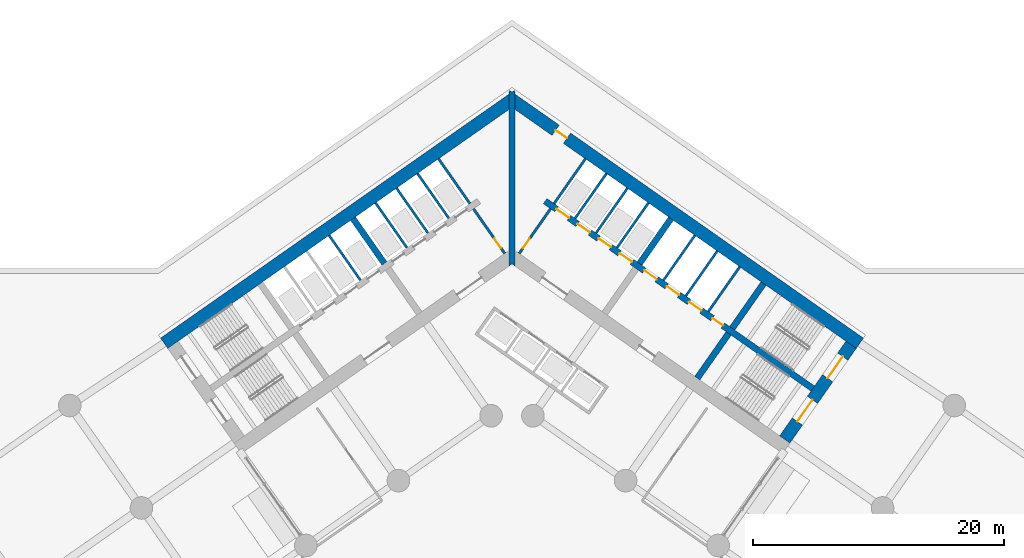
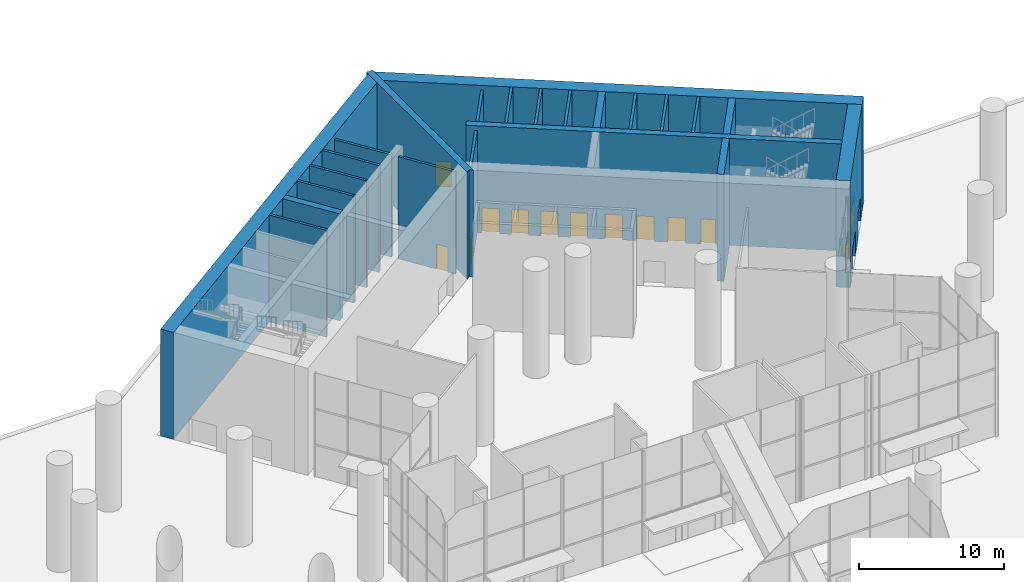
# One storey, part 20 of 37: 23 walls, 13 doors, 13 openings.
"""IFC4 building model written with IfcOpenShell, lengths in metres."""

import ifcopenshell
import ifcopenshell.guid

model = None  # the IFC model being written
_history = None  # IfcOwnerHistory: only IFC2X3 demands one
_inside = {}  # id of a spatial element -> (the spatial element, [elements in it])
_under = {}  # id of a project, library or spatial element -> (it, [spatial elements below it])
_declared = {}  # id of a project -> (the project, [libraries it declares])
_typed = {}  # id of a type object -> (the type object, [elements of that type])
_made_of = {}  # id of a material, layer set ... -> (it, [elements and type objects made of it])


def new_model(schema):
    """Start an empty IFC model of exactly this schema.

    Asked for "IFC4X3", IfcOpenShell would pick the latest addendum, in which some entities
    have other attributes; the version numbers below select the first issue.
    IFC2X3 requires an IfcOwnerHistory on every rooted entity: one is made here for all.
    """
    global model, _history
    if schema == "IFC4X3":
        model = ifcopenshell.file(schema_version=(4, 3, 0, 0))
    else:
        model = ifcopenshell.file(schema=schema)
    _inside.clear()
    _under.clear()
    _declared.clear()
    _typed.clear()
    _made_of.clear()
    _history = None
    if model.schema == "IFC2X3":
        org = make("IfcOrganization", Name="unknown")
        user = make(
            "IfcPersonAndOrganization",
            ThePerson=make("IfcPerson", FamilyName="unknown"),
            TheOrganization=org,
        )
        app = make(
            "IfcApplication",
            ApplicationDeveloper=org,
            Version="unknown",
            ApplicationFullName="unknown",
            ApplicationIdentifier="unknown",
        )
        _history = make(
            "IfcOwnerHistory",
            OwningUser=user,
            OwningApplication=app,
            ChangeAction="ADDED",
            CreationDate=0,
        )
    return model


def make(cls, **values):
    """One entity of the class cls with the attributes given. An attribute that is None is left unset."""
    return model.create_entity(
        cls, **{name: value for name, value in values.items() if value is not None}
    )


def rooted(cls, **values):
    """An entity with a GlobalId (a new one), such as an element, a storey or a relation."""
    return make(cls, GlobalId=ifcopenshell.guid.new(), OwnerHistory=_history, **values)


def si_unit(unit_type, name, prefix=None):
    """IfcSIUnit, for example si_unit("LENGTHUNIT", "METRE", prefix="MILLI")."""
    return make("IfcSIUnit", UnitType=unit_type, Prefix=prefix, Name=name)


def assignment(units):
    """IfcUnitAssignment: the units of a project."""
    return None if units is None else make("IfcUnitAssignment", Units=units)


def point(xyz):
    """IfcCartesianPoint."""
    return None if xyz is None else make("IfcCartesianPoint", Coordinates=xyz)


def direction(xyz):
    """IfcDirection."""
    return None if xyz is None else make("IfcDirection", DirectionRatios=xyz)


def frame(location, z_axis=None, x_axis=None):
    """IfcAxis2Placement3D, a coordinate frame: its origin and axes. An axis left out is left unset."""
    return make(
        "IfcAxis2Placement3D",
        Location=point(location),
        Axis=direction(z_axis),
        RefDirection=direction(x_axis),
    )


def frame_2d(location, x_axis=None):
    """IfcAxis2Placement2D, a coordinate frame in the plane: its origin and x axis."""
    return make(
        "IfcAxis2Placement2D", Location=point(location), RefDirection=direction(x_axis)
    )


def origin():
    """The frame at (0, 0, 0) with its axes left unset."""
    return frame((0.0, 0.0, 0.0))


def place(relative_to, where):
    """IfcLocalPlacement: puts the frame where relative to a parent placement (None: the world)."""
    return make(
        "IfcLocalPlacement", PlacementRelTo=relative_to, RelativePlacement=where
    )


def context(
    kind, dimensions, precision=None, world=None, true_north=None, identifier=None
):
    """IfcGeometricRepresentationContext, for example the 3D "Model" context."""
    return make(
        "IfcGeometricRepresentationContext",
        ContextIdentifier=identifier,
        ContextType=kind,
        CoordinateSpaceDimension=dimensions,
        Precision=precision,
        WorldCoordinateSystem=world,
        TrueNorth=true_north,
    )


def subcontext(parent, identifier, kind, view, scale=None):
    """IfcGeometricRepresentationSubContext, for example "Body" below "Model"."""
    return make(
        "IfcGeometricRepresentationSubContext",
        ContextIdentifier=identifier,
        ContextType=kind,
        ParentContext=parent,
        TargetScale=scale,
        TargetView=view,
    )


def project(units=None, contexts=None):
    """IfcProject with its units and contexts."""
    return rooted(
        "IfcProject",
        Name="project",
        RepresentationContexts=contexts,
        UnitsInContext=assignment(units),
    )


def spatial(cls, under=None, at=None, **own):
    """A site, building, storey or space (cls), placed at a placement, below another one or the project."""
    s = rooted(cls, ObjectPlacement=at, **own)
    if under is not None:
        _under.setdefault(under.id(), (under, []))[1].append(s)
    return s


def polyline(points):
    """IfcPolyline through the points."""
    return make("IfcPolyline", Points=[point(p) for p in points])


def profile(cls, at=None, kind="AREA", **sizes):
    """A parametric profile (cls). Its sizes go by their IFC names, for example OverallWidth=200.0."""
    return make(cls, ProfileType=kind, Position=at, **sizes)


def rectangle(**sizes):
    """IfcRectangleProfileDef."""
    return profile("IfcRectangleProfileDef", **sizes)


def outline(outer, holes=None, kind="AREA"):
    """IfcArbitraryClosedProfileDef: a profile drawn as a closed curve; with holes, ...WithVoids."""
    if holes is None:
        return make("IfcArbitraryClosedProfileDef", ProfileType=kind, OuterCurve=outer)
    return make(
        "IfcArbitraryProfileDefWithVoids",
        ProfileType=kind,
        OuterCurve=outer,
        InnerCurves=holes,
    )


def extrude(swept, where, along, depth):
    """IfcExtrudedAreaSolid: the profile swept, set in the frame where, extruded along a direction by depth."""
    return make(
        "IfcExtrudedAreaSolid",
        SweptArea=swept,
        Position=where,
        ExtrudedDirection=direction(along),
        Depth=depth,
    )


def shape(context_of_items, identifier, shape_type, items):
    """IfcShapeRepresentation: the items that make up one representation, for example the "Body"."""
    return make(
        "IfcShapeRepresentation",
        ContextOfItems=context_of_items,
        RepresentationIdentifier=identifier,
        RepresentationType=shape_type,
        Items=items,
    )


def material(Name=None, Category=None):
    """IfcMaterial."""
    return make("IfcMaterial", Name=Name, Category=Category)


def layer(
    of_material, thickness, ventilated=None, Name=None, Category=None, Priority=None
):
    """IfcMaterialLayer: one layer of a wall or slab, of a material (None: an air gap)."""
    return make(
        "IfcMaterialLayer",
        Material=of_material,
        LayerThickness=thickness,
        IsVentilated=ventilated,
        Name=Name,
        Category=Category,
        Priority=Priority,
    )


def layer_set(layers, Name=None):
    """IfcMaterialLayerSet."""
    return make("IfcMaterialLayerSet", MaterialLayers=layers, LayerSetName=Name)


def made_of(thing, what):
    """Note that an element or type object is made of a material, layer set ...; save() writes the relation."""
    if what is not None:
        _made_of.setdefault(what.id(), (what, []))[1].append(thing)
    return thing


def type_object(cls, material=None, **own):
    """A type object (cls), such as IfcWallType, which elements share."""
    return made_of(rooted(cls, **own), material)


def element(
    cls,
    number,
    at=None,
    inside=None,
    cuts=None,
    type_object=None,
    material=None,
    context=None,
    identifier="Body",
    shape_type=None,
    held_by="IfcProductDefinitionShape",
    body=None,
    shapes=None,
    **own,
):
    """One element of the class cls, such as IfcWall. Its Tag is "e" and its number.

    at: its placement. inside: the storey or other place that contains it. cuts: it is an
    opening in that element (IfcRelVoidsElement). A single representation is given by context,
    identifier, shape_type and body (its items); several are given by shapes. held_by: the class
    of the entity that holds the representations. save() writes the other relations.
    """
    e = rooted(cls, Tag="e%d" % number, ObjectPlacement=at, **own)
    if body is not None:
        shapes = [shape(context, identifier, shape_type, body)]
    if shapes is not None:
        e.Representation = make(held_by, Representations=shapes)
    if inside is not None:
        _inside.setdefault(inside.id(), (inside, []))[1].append(e)
    if cuts is not None:
        rooted(
            "IfcRelVoidsElement", RelatingBuildingElement=cuts, RelatedOpeningElement=e
        )
    if type_object is not None:
        _typed.setdefault(type_object.id(), (type_object, []))[1].append(e)
    return made_of(e, material)


def fill(opening, filler):
    """IfcRelFillsElement: the door or window that sits in an opening."""
    return rooted(
        "IfcRelFillsElement",
        RelatingOpeningElement=opening,
        RelatedBuildingElement=filler,
    )


def aggregate(whole, parts):
    """IfcRelAggregates: a whole, such as a stair, and the parts it consists of."""
    return rooted("IfcRelAggregates", RelatingObject=whole, RelatedObjects=parts)


def save(model, path):
    """Write the relations noted so far, then the file.

    IfcRelAggregates (storeys below a building ...), IfcRelContainedInSpatialStructure (elements
    in a storey), IfcRelDefinesByType, IfcRelAssociatesMaterial and IfcRelDeclares: one each for
    every whole, place, type object, material and project.
    """
    for whole, parts in _under.values():
        aggregate(whole, parts)
    for where, things in _inside.values():
        rooted(
            "IfcRelContainedInSpatialStructure",
            RelatedElements=things,
            RelatingStructure=where,
        )
    for kind, things in _typed.values():
        rooted("IfcRelDefinesByType", RelatedObjects=things, RelatingType=kind)
    for what, things in _made_of.values():
        rooted("IfcRelAssociatesMaterial", RelatedObjects=things, RelatingMaterial=what)
    for by, libraries in _declared.values():
        rooted("IfcRelDeclares", RelatingContext=by, RelatedDefinitions=libraries)
    model.write(path)


model = new_model("IFC4")

# Units and contexts
model_context = context("Model", 3, precision=1e-05, world=origin(), true_north=direction((0.0, 1.0)))
body_context = subcontext(model_context, "Body", "Model", "MODEL_VIEW")
ifc_project = project(units=[si_unit("LENGTHUNIT", "METRE"), si_unit("AREAUNIT", "SQUARE_METRE"), si_unit("VOLUMEUNIT", "CUBIC_METRE"), si_unit("PLANEANGLEUNIT", "RADIAN"), si_unit("MASSUNIT", "GRAM", prefix="KILO")], contexts=[model_context])

# Site, building, storey
site_placement = place(None, origin())
site = spatial("IfcSite", under=ifc_project, at=site_placement, CompositionType="ELEMENT")
building_placement = place(site_placement, origin())
building = spatial("IfcBuilding", under=site, at=building_placement, Name="Tel Ilan Convention Tower", CompositionType="ELEMENT")
storey_placement = place(building_placement, origin())
storey = spatial("IfcBuildingStorey", under=building, at=storey_placement, Name="L00", CompositionType="ELEMENT", Elevation=0.0)

# Wall, opening, door
ifc_material_1 = material(Name="Concrete C30/37", Category="concrete")
ifc_layer_1 = layer(ifc_material_1, 0.199951171875)
ifc_layer_set_1 = layer_set([ifc_layer_1], Name="Core Service Room Wall 200 mm C30/37")
wall_type_1 = type_object("IfcWallType", Name="Core Service Room Wall 200 mm C30/37", PredefinedType="SOLIDWALL", material=ifc_layer_set_1)
wall_1_placement = place(storey_placement, frame((-0.573486328125, -0.401611328125, 0.0), z_axis=(0.0, 0.0, 1.0), x_axis=(-0.57356780395, 0.819158088694, 0.0)))
wall_1 = element("IfcWall", 1, at=wall_1_placement, inside=storey, type_object=wall_type_1, Name="L00 core wall apex-W", PredefinedType="SOLIDWALL", context=body_context, shape_type="SweptSolid", body=[
    extrude(rectangle(XDim=4.35009765625, YDim=0.199951171875, at=frame_2d((2.175048828125, 0.0))), origin(), (0.0, 0.0, 1.0), 8.60009765625),
])
opening_1_placement = place(wall_1_placement, frame((0.550048828125, 0.0, 0.0)))
opening_1 = element("IfcOpeningElement", 2, at=opening_1_placement, cuts=wall_1, Name="Opening CD0302", PredefinedType="OPENING", context=body_context, shape_type="SweptSolid", body=[
    extrude(rectangle(XDim=0.89990234375, YDim=2.10009765625, at=frame_2d((0.449951171875, 1.050048828125))), frame((0.0, 0.10986328125, 0.0), z_axis=(0.0, -1.0, 0.0), x_axis=(1.0, 0.0, 0.0)), (0.0, 0.0, 1.0), 0.219970703125),
])
ifc_material_2 = material(Name="Galvanised Steel Door Leaf", Category="steel")
door_type_1 = type_object("IfcDoorType", Name="Service Room Door 900 x 2100 FD60", OperationType="NOTDEFINED", PredefinedType="DOOR", material=ifc_material_2)
door_1_placement = place(opening_1_placement, origin())
door_1 = element("IfcDoor", 3, at=door_1_placement, inside=storey, type_object=door_type_1, Name="Telecom Room door", OperationType="SINGLE_SWING_RIGHT", OverallHeight=2.10009765625, OverallWidth=0.89990234375, PredefinedType="DOOR", context=body_context, shape_type="SweptSolid", body=[
    extrude(rectangle(XDim=0.89990234375, YDim=2.10009765625, at=frame_2d((0.449951171875, 1.050048828125))), frame((0.0, 0.02490234375, 0.0), z_axis=(0.0, -1.0, 0.0), x_axis=(1.0, 0.0, 0.0)), (0.0, 0.0, 1.0), 0.050048828125),
])
fill(opening_1, door_1)

# Wall
wall_2_placement = place(storey_placement, frame((-3.355224609375, 3.5712890625, 0.0), z_axis=(0.0, 0.0, 1.0), x_axis=(-0.57356780395, 0.819158088694, 0.0)))
element("IfcWall", 4, at=wall_2_placement, inside=storey, type_object=wall_type_1, Name="L00 core wall apex-W-b", PredefinedType="SOLIDWALL", context=body_context, shape_type="SweptSolid", body=[
    extrude(rectangle(XDim=4.35009765625, YDim=0.199951171875, at=frame_2d((2.175048828125, 0.0))), origin(), (0.0, 0.0, 1.0), 8.60009765625),
])

# Wall, opening, door
wall_3_placement = place(storey_placement, frame((0.573486328125, -0.401611328125, 0.0), z_axis=(0.0, 0.0, 1.0), x_axis=(0.57356780395, 0.819158088694, 0.0)))
wall_3 = element("IfcWall", 5, at=wall_3_placement, inside=storey, type_object=wall_type_1, Name="L00 core wall apex-E", PredefinedType="SOLIDWALL", context=body_context, shape_type="SweptSolid", body=[
    extrude(rectangle(XDim=4.35009765625, YDim=0.199951171875, at=frame_2d((2.175048828125, 0.0))), origin(), (0.0, 0.0, 1.0), 8.60009765625),
])
opening_2_placement = place(wall_3_placement, frame((0.550048828125, 0.0, 0.0)))
opening_2 = element("IfcOpeningElement", 6, at=opening_2_placement, cuts=wall_3, Name="Opening CD0301", PredefinedType="OPENING", context=body_context, shape_type="SweptSolid", body=[
    extrude(rectangle(XDim=0.89990234375, YDim=2.10009765625, at=frame_2d((0.449951171875, 1.050048828125))), frame((0.0, 0.10986328125, 0.0), z_axis=(0.0, -1.0, 0.0), x_axis=(1.0, 0.0, 0.0)), (0.0, 0.0, 1.0), 0.219970703125),
])
door_2_placement = place(opening_2_placement, origin())
door_2 = element("IfcDoor", 7, at=door_2_placement, inside=storey, type_object=door_type_1, Name="Fire Command Room door", OperationType="SINGLE_SWING_RIGHT", OverallHeight=2.10009765625, OverallWidth=0.89990234375, PredefinedType="DOOR", context=body_context, shape_type="SweptSolid", body=[
    extrude(rectangle(XDim=0.89990234375, YDim=2.10009765625, at=frame_2d((0.449951171875, 1.050048828125))), frame((0.0, 0.02490234375, 0.0), z_axis=(0.0, -1.0, 0.0), x_axis=(1.0, 0.0, 0.0)), (0.0, 0.0, 1.0), 0.050048828125),
])
fill(opening_2, door_2)

# Walls
wall_4_placement = place(storey_placement, frame((3.355224609375, 3.5712890625, 0.0), z_axis=(0.0, 0.0, 1.0), x_axis=(0.57356780395, 0.819158088694, 0.0)))
element("IfcWall", 8, at=wall_4_placement, inside=storey, type_object=wall_type_1, Name="L00 core wall apex-E-b", PredefinedType="SOLIDWALL", context=body_context, shape_type="SweptSolid", body=[
    extrude(rectangle(XDim=4.35009765625, YDim=0.199951171875, at=frame_2d((2.175048828125, 0.0))), origin(), (0.0, 0.0, 1.0), 8.60009765625),
])
ifc_material_3 = material(Name="Concrete C60/75", Category="concrete")
ifc_layer_2 = layer(ifc_material_3, 1.0)
ifc_layer_set_2 = layer_set([ifc_layer_2], Name="Core Shear Wall 1000 mm C60/75")
wall_type_2 = type_object("IfcWallType", Name="Core Shear Wall 1000 mm C60/75", PredefinedType="SHEAR", material=ifc_layer_set_2)
wall_5_placement = place(storey_placement, frame((0.036865234375, 11.8671875, 0.0), z_axis=(0.0, 0.0, 1.0), x_axis=(-0.819155306259, -0.573571777746, 0.0)))
element("IfcWall", 9, at=wall_5_placement, inside=storey, type_object=wall_type_2, Name="L00 core wall W-back", PredefinedType="SHEAR", context=body_context, shape_type="SweptSolid", body=[
    extrude(outline(polyline([(33.8369140625, 0.5), (0.7001953125, 0.499755859375), (0.0, -0.5), (33.8369140625, -0.5), (33.8369140625, 0.5)])), origin(), (0.0, 0.0, 1.0), 9.0),
])

# Wall, opening, door
wall_6_placement = place(storey_placement, frame((-0.036865234375, 11.8671875, 0.0), z_axis=(0.0, 0.0, 1.0), x_axis=(0.819155306259, -0.573571777746, 0.0)))
wall_6 = element("IfcWall", 10, at=wall_6_placement, inside=storey, type_object=wall_type_2, Name="L00 core wall E-back", PredefinedType="SHEAR", context=body_context, shape_type="SweptSolid", body=[
    extrude(outline(polyline([(33.8369140625, 0.5), (0.0, 0.5), (0.7001953125, -0.499755859375), (33.8369140625, -0.5), (33.8369140625, 0.5)])), origin(), (0.0, 0.0, 1.0), 9.0),
])
opening_3_placement = place(wall_6_placement, frame((4.286865234375, 0.0, 0.0)))
opening_3 = element("IfcOpeningElement", 11, at=opening_3_placement, cuts=wall_6, Name="Opening E20", PredefinedType="OPENING", context=body_context, shape_type="SweptSolid", body=[
    extrude(rectangle(XDim=1.10009765625, YDim=2.10009765625, at=frame_2d((0.550048828125, 1.050048828125))), frame((0.0, 0.510009765625, 0.0), z_axis=(0.0, -1.0, 0.0), x_axis=(1.0, 0.0, 0.0)), (0.0, 0.0, 1.0), 1.02001953125),
])
ifc_material_4 = material(Name="Galvanised Steel Door Leaf", Category="steel")
door_type_2 = type_object("IfcDoorType", Name="Stair Fire Door 1100 x 2100 FD60S", OperationType="NOTDEFINED", PredefinedType="DOOR", material=ifc_material_4)
door_3_placement = place(opening_3_placement, origin())
door_3 = element("IfcDoor", 12, at=door_3_placement, inside=storey, type_object=door_type_2, Name="Fire Command Room street door", OperationType="SINGLE_SWING_RIGHT", OverallHeight=2.10009765625, OverallWidth=1.10009765625, PredefinedType="DOOR", context=body_context, shape_type="SweptSolid", body=[
    extrude(rectangle(XDim=1.10009765625, YDim=2.10009765625, at=frame_2d((0.550048828125, 1.050048828125))), frame((0.0, 0.02490234375, 0.0), z_axis=(0.0, -1.0, 0.0), x_axis=(1.0, 0.0, 0.0)), (0.0, 0.0, 1.0), 0.050048828125),
])
fill(opening_3, door_3)

# Wall, openings, doors
wall_7_placement = place(storey_placement, frame((21.70751953125, -15.19970703125, 0.0), z_axis=(0.0, 0.0, 1.0), x_axis=(0.573576324356, 0.819152122709, 0.0)))
wall_7 = element("IfcWall", 13, at=wall_7_placement, inside=storey, type_object=wall_type_2, Name="L00 core wall E-end", PredefinedType="SHEAR", context=body_context, shape_type="SweptSolid", body=[
    extrude(outline(polyline([(9.199951171875, 0.5), (0.0, 0.5), (0.0, -0.5), (9.199951171875, -0.5), (9.199951171875, 0.5)])), origin(), (0.0, 0.0, 1.0), 9.0),
])
opening_4_placement = place(wall_7_placement, frame((5.949951171875, 0.0, 0.0)))
opening_4 = element("IfcOpeningElement", 14, at=opening_4_placement, cuts=wall_7, Name="Opening E3", PredefinedType="OPENING", context=body_context, shape_type="SweptSolid", body=[
    extrude(rectangle(XDim=2.10009765625, YDim=2.10009765625, at=frame_2d((1.050048828125, 1.050048828125))), frame((0.0, 0.510009765625, 0.0), z_axis=(0.0, -1.0, 0.0), x_axis=(1.0, 0.0, 0.0)), (0.0, 0.0, 1.0), 1.02001953125),
])
opening_5_placement = place(wall_7_placement, frame((1.75, 0.0, 0.0)))
opening_5 = element("IfcOpeningElement", 15, at=opening_5_placement, cuts=wall_7, Name="Opening E4", PredefinedType="OPENING", context=body_context, shape_type="SweptSolid", body=[
    extrude(rectangle(XDim=2.10009765625, YDim=2.10009765625, at=frame_2d((1.050048828125, 1.050048828125))), frame((0.0, 0.510009765625, 0.0), z_axis=(0.0, -1.0, 0.0), x_axis=(1.0, 0.0, 0.0)), (0.0, 0.0, 1.0), 1.02001953125),
])
ifc_material_5 = material(Name="Galvanised Steel Door Leaf", Category="steel")
door_type_3 = type_object("IfcDoorType", Name="Stair Fire Door 2100 x 2100 FD60S", OperationType="NOTDEFINED", PredefinedType="DOOR", material=ifc_material_5)
door_4_placement = place(opening_4_placement, origin())
door_4 = element("IfcDoor", 16, at=door_4_placement, inside=storey, type_object=door_type_3, Name="Stair S3 door", OperationType="DOUBLE_DOOR_SINGLE_SWING", OverallHeight=2.10009765625, OverallWidth=2.10009765625, PredefinedType="DOOR", context=body_context, shape_type="SweptSolid", body=[
    extrude(rectangle(XDim=2.10009765625, YDim=2.10009765625, at=frame_2d((1.050048828125, 1.050048828125))), frame((0.0, 0.02490234375, 0.0), z_axis=(0.0, -1.0, 0.0), x_axis=(1.0, 0.0, 0.0)), (0.0, 0.0, 1.0), 0.050048828125),
])
fill(opening_4, door_4)
door_5_placement = place(opening_5_placement, origin())
door_5 = element("IfcDoor", 17, at=door_5_placement, inside=storey, type_object=door_type_3, Name="Stair S4 door", OperationType="DOUBLE_DOOR_SINGLE_SWING", OverallHeight=2.10009765625, OverallWidth=2.10009765625, PredefinedType="DOOR", context=body_context, shape_type="SweptSolid", body=[
    extrude(rectangle(XDim=2.10009765625, YDim=2.10009765625, at=frame_2d((1.050048828125, 1.050048828125))), frame((0.0, 0.02490234375, 0.0), z_axis=(0.0, -1.0, 0.0), x_axis=(1.0, 0.0, 0.0)), (0.0, 0.0, 1.0), 0.050048828125),
])
fill(opening_5, door_5)

# Walls
ifc_material_6 = material(Name="Concrete C60/75", Category="concrete")
ifc_layer_3 = layer(ifc_material_6, 0.5)
ifc_layer_set_3 = layer_set([ifc_layer_3], Name="Core Shear Wall 500 mm C60/75")
wall_type_3 = type_object("IfcWallType", Name="Core Shear Wall 500 mm C60/75", PredefinedType="SHEAR", material=ifc_layer_set_3)
for number, where, z_axis, x_axis, name in (
    (18, (-10.154296875, -1.189208984375, 0.0), (0.0, 0.0, 1.0), (-0.573594173421, 0.819139624372, 0.0), "L00 core wall W-cross1-2"),
    (19, (10.154296875, -1.189208984375, 0.0), (0.0, 0.0, 1.0), (0.573594173421, 0.819139624372, 0.0), "L00 core wall E-cross1-2"),
):
    element("IfcWall", number, at=place(storey_placement, frame(where, z_axis=z_axis, x_axis=x_axis)), inside=storey, type_object=wall_type_3, Name=name, PredefinedType="SHEAR", context=body_context, shape_type="SweptSolid", body=[
        extrude(outline(polyline([(4.349853515625, -0.25), (4.349853515625, 0.25), (-0.000244140625, 0.25), (-0.000244140625, -0.25), (4.349853515625, -0.25)])), origin(), (0.0, 0.0, 1.0), 9.0),
    ])
wall_8_placement = place(storey_placement, frame((14.74462890625, -10.324462890625, 0.0), z_axis=(0.0, 0.0, 1.0), x_axis=(0.57356780395, 0.819158088694, 0.0)))
element("IfcWall", 20, at=wall_8_placement, inside=storey, type_object=wall_type_3, Name="L00 core wall E-cross2-1", PredefinedType="SHEAR", context=body_context, shape_type="SweptSolid", body=[
    extrude(outline(polyline([(0.0, 0.25), (0.0, -0.25), (4.35009765625, -0.250244140625), (4.35009765625, 0.25), (0.0, 0.25)])), origin(), (0.0, 0.0, 1.0), 9.0),
])
wall_9_placement = place(storey_placement, frame((17.526611328125, -6.3515625, 0.0), z_axis=(0.0, 0.0, 1.0), x_axis=(0.573530143085, 0.819184457233, 0.0)))
element("IfcWall", 21, at=wall_9_placement, inside=storey, type_object=wall_type_3, Name="L00 core wall E-cross2-2", PredefinedType="SHEAR", context=body_context, shape_type="SweptSolid", body=[
    extrude(outline(polyline([(4.35009765625, -0.250244140625), (4.35009765625, 0.249755859375), (0.0, 0.25), (0.0, -0.25), (4.35009765625, -0.250244140625)])), origin(), (0.0, 0.0, 1.0), 9.0),
])

# Wall, openings, doors
wall_10_placement = place(storey_placement, frame((2.638427734375, 3.76806640625, 0.0), z_axis=(0.0, 0.0, 1.0), x_axis=(0.819148977158, -0.573580816643, 0.0)))
wall_10 = element("IfcWall", 22, at=wall_10_placement, inside=storey, type_object=wall_type_3, Name="L00 core wall E-spine", PredefinedType="SHEAR", context=body_context, shape_type="SweptSolid", body=[
    extrude(outline(polyline([(0.0, 0.25), (0.0, -0.25), (26.0, -0.249755859375), (26.0, 0.250244140625), (0.0, 0.25)])), origin(), (0.0, 0.0, 1.0), 9.0),
])
opening_6_placement = place(wall_10_placement, frame((1.118896484375, 0.0, 0.0)))
opening_6 = element("IfcOpeningElement", 23, at=opening_6_placement, cuts=wall_10, Name="Opening LD0316", PredefinedType="OPENING", context=body_context, shape_type="SweptSolid", body=[
    extrude(rectangle(XDim=1.199951171875, YDim=2.10009765625, at=frame_2d((0.60009765625, 1.050048828125))), frame((0.0, 0.260009765625, 0.0), z_axis=(0.0, -1.0, 0.0), x_axis=(1.0, 0.0, 0.0)), (0.0, 0.0, 1.0), 0.52001953125),
])
opening_7_placement = place(wall_10_placement, frame((3.15625, 0.0, 0.0)))
opening_7 = element("IfcOpeningElement", 24, at=opening_7_placement, cuts=wall_10, Name="Opening LD0317", PredefinedType="OPENING", context=body_context, shape_type="SweptSolid", body=[
    extrude(rectangle(XDim=1.199951171875, YDim=2.10009765625, at=frame_2d((0.60009765625, 1.050048828125))), frame((0.0, 0.260009765625, 0.0), z_axis=(0.0, -1.0, 0.0), x_axis=(1.0, 0.0, 0.0)), (0.0, 0.0, 1.0), 0.52001953125),
])
opening_8_placement = place(wall_10_placement, frame((5.193603515625, 0.0, 0.0)))
opening_8 = element("IfcOpeningElement", 25, at=opening_8_placement, cuts=wall_10, Name="Opening LD0318", PredefinedType="OPENING", context=body_context, shape_type="SweptSolid", body=[
    extrude(rectangle(XDim=1.199951171875, YDim=2.10009765625, at=frame_2d((0.60009765625, 1.050048828125))), frame((0.0, 0.260009765625, 0.0), z_axis=(0.0, -1.0, 0.0), x_axis=(1.0, 0.0, 0.0)), (0.0, 0.0, 1.0), 0.52001953125),
])
opening_9_placement = place(wall_10_placement, frame((7.231201171875, 0.0, 0.0)))
opening_9 = element("IfcOpeningElement", 26, at=opening_9_placement, cuts=wall_10, Name="Opening LD0319", PredefinedType="OPENING", context=body_context, shape_type="SweptSolid", body=[
    extrude(rectangle(XDim=1.199951171875, YDim=2.10009765625, at=frame_2d((0.60009765625, 1.050048828125))), frame((0.0, 0.260009765625, 0.0), z_axis=(0.0, -1.0, 0.0), x_axis=(1.0, 0.0, 0.0)), (0.0, 0.0, 1.0), 0.52001953125),
])
opening_10_placement = place(wall_10_placement, frame((9.637451171875, 0.0, 0.0)))
opening_10 = element("IfcOpeningElement", 27, at=opening_10_placement, cuts=wall_10, Name="Opening LD0301", PredefinedType="OPENING", context=body_context, shape_type="SweptSolid", body=[
    extrude(rectangle(XDim=1.199951171875, YDim=2.10009765625, at=frame_2d((0.60009765625, 1.050048828125))), frame((0.0, 0.260009765625, 0.0), z_axis=(0.0, -1.0, 0.0), x_axis=(1.0, 0.0, 0.0)), (0.0, 0.0, 1.0), 0.52001953125),
])
opening_11_placement = place(wall_10_placement, frame((11.8125, 0.0, 0.0)))
opening_11 = element("IfcOpeningElement", 28, at=opening_11_placement, cuts=wall_10, Name="Opening LD0302", PredefinedType="OPENING", context=body_context, shape_type="SweptSolid", body=[
    extrude(rectangle(XDim=1.199951171875, YDim=2.10009765625, at=frame_2d((0.60009765625, 1.050048828125))), frame((0.0, 0.260009765625, 0.0), z_axis=(0.0, -1.0, 0.0), x_axis=(1.0, 0.0, 0.0)), (0.0, 0.0, 1.0), 0.52001953125),
])
opening_12_placement = place(wall_10_placement, frame((13.987548828125, 0.0, 0.0)))
opening_12 = element("IfcOpeningElement", 29, at=opening_12_placement, cuts=wall_10, Name="Opening LD0303", PredefinedType="OPENING", context=body_context, shape_type="SweptSolid", body=[
    extrude(rectangle(XDim=1.199951171875, YDim=2.10009765625, at=frame_2d((0.60009765625, 1.050048828125))), frame((0.0, 0.260009765625, 0.0), z_axis=(0.0, -1.0, 0.0), x_axis=(1.0, 0.0, 0.0)), (0.0, 0.0, 1.0), 0.52001953125),
])
opening_13_placement = place(wall_10_placement, frame((16.262451171875, 0.0, 0.0)))
opening_13 = element("IfcOpeningElement", 30, at=opening_13_placement, cuts=wall_10, Name="Opening CD0307", PredefinedType="OPENING", context=body_context, shape_type="SweptSolid", body=[
    extrude(rectangle(XDim=1.0, YDim=2.10009765625, at=frame_2d((0.5, 1.050048828125))), frame((0.0, 0.260009765625, 0.0), z_axis=(0.0, -1.0, 0.0), x_axis=(1.0, 0.0, 0.0)), (0.0, 0.0, 1.0), 0.52001953125),
])
ifc_material_7 = material(Name="Stainless Steel Sliding Door Leaf", Category="steel")
door_type_4 = type_object("IfcDoorType", Name="Lift Landing Door 1200 x 2100 FD120", OperationType="NOTDEFINED", PredefinedType="DOOR", material=ifc_material_7)
door_6_placement = place(opening_6_placement, origin())
door_6 = element("IfcDoor", 31, at=door_6_placement, inside=storey, type_object=door_type_4, Name="Lift SH1 landing door", OperationType="SLIDING_TO_LEFT", OverallHeight=2.10009765625, OverallWidth=1.199951171875, PredefinedType="DOOR", context=body_context, shape_type="SweptSolid", body=[
    extrude(rectangle(XDim=1.199951171875, YDim=2.10009765625, at=frame_2d((0.60009765625, 1.050048828125))), frame((0.0, 0.02490234375, 0.0), z_axis=(0.0, -1.0, 0.0), x_axis=(1.0, 0.0, 0.0)), (0.0, 0.0, 1.0), 0.050048828125),
])
fill(opening_6, door_6)
door_7_placement = place(opening_7_placement, origin())
door_7 = element("IfcDoor", 32, at=door_7_placement, inside=storey, type_object=door_type_4, Name="Lift SH2 landing door", OperationType="SLIDING_TO_RIGHT", OverallHeight=2.10009765625, OverallWidth=1.199951171875, PredefinedType="DOOR", context=body_context, shape_type="SweptSolid", body=[
    extrude(rectangle(XDim=1.199951171875, YDim=2.10009765625, at=frame_2d((0.60009765625, 1.050048828125))), frame((0.0, 0.02490234375, 0.0), z_axis=(0.0, -1.0, 0.0), x_axis=(1.0, 0.0, 0.0)), (0.0, 0.0, 1.0), 0.050048828125),
])
fill(opening_7, door_7)
door_8_placement = place(opening_8_placement, origin())
door_8 = element("IfcDoor", 33, at=door_8_placement, inside=storey, type_object=door_type_4, Name="Lift SH3 landing door", OperationType="SLIDING_TO_LEFT", OverallHeight=2.10009765625, OverallWidth=1.199951171875, PredefinedType="DOOR", context=body_context, shape_type="SweptSolid", body=[
    extrude(rectangle(XDim=1.199951171875, YDim=2.10009765625, at=frame_2d((0.60009765625, 1.050048828125))), frame((0.0, 0.02490234375, 0.0), z_axis=(0.0, -1.0, 0.0), x_axis=(1.0, 0.0, 0.0)), (0.0, 0.0, 1.0), 0.050048828125),
])
fill(opening_8, door_8)
door_9_placement = place(opening_9_placement, origin())
door_9 = element("IfcDoor", 34, at=door_9_placement, inside=storey, type_object=door_type_4, Name="Lift SH4 landing door", OperationType="SLIDING_TO_RIGHT", OverallHeight=2.10009765625, OverallWidth=1.199951171875, PredefinedType="DOOR", context=body_context, shape_type="SweptSolid", body=[
    extrude(rectangle(XDim=1.199951171875, YDim=2.10009765625, at=frame_2d((0.60009765625, 1.050048828125))), frame((0.0, 0.02490234375, 0.0), z_axis=(0.0, -1.0, 0.0), x_axis=(1.0, 0.0, 0.0)), (0.0, 0.0, 1.0), 0.050048828125),
])
fill(opening_9, door_9)
door_10_placement = place(opening_10_placement, origin())
door_10 = element("IfcDoor", 35, at=door_10_placement, inside=storey, type_object=door_type_4, Name="Lift FL1 landing door", OperationType="SLIDING_TO_LEFT", OverallHeight=2.10009765625, OverallWidth=1.199951171875, PredefinedType="DOOR", context=body_context, shape_type="SweptSolid", body=[
    extrude(rectangle(XDim=1.199951171875, YDim=2.10009765625, at=frame_2d((0.60009765625, 1.050048828125))), frame((0.0, 0.02490234375, 0.0), z_axis=(0.0, -1.0, 0.0), x_axis=(1.0, 0.0, 0.0)), (0.0, 0.0, 1.0), 0.050048828125),
])
fill(opening_10, door_10)
door_11_placement = place(opening_11_placement, origin())
door_11 = element("IfcDoor", 36, at=door_11_placement, inside=storey, type_object=door_type_4, Name="Lift FL2 landing door", OperationType="SLIDING_TO_RIGHT", OverallHeight=2.10009765625, OverallWidth=1.199951171875, PredefinedType="DOOR", context=body_context, shape_type="SweptSolid", body=[
    extrude(rectangle(XDim=1.199951171875, YDim=2.10009765625, at=frame_2d((0.60009765625, 1.050048828125))), frame((0.0, 0.02490234375, 0.0), z_axis=(0.0, -1.0, 0.0), x_axis=(1.0, 0.0, 0.0)), (0.0, 0.0, 1.0), 0.050048828125),
])
fill(opening_11, door_11)
door_12_placement = place(opening_12_placement, origin())
door_12 = element("IfcDoor", 37, at=door_12_placement, inside=storey, type_object=door_type_4, Name="Lift FL3 landing door", OperationType="SLIDING_TO_LEFT", OverallHeight=2.10009765625, OverallWidth=1.199951171875, PredefinedType="DOOR", context=body_context, shape_type="SweptSolid", body=[
    extrude(rectangle(XDim=1.199951171875, YDim=2.10009765625, at=frame_2d((0.60009765625, 1.050048828125))), frame((0.0, 0.02490234375, 0.0), z_axis=(0.0, -1.0, 0.0), x_axis=(1.0, 0.0, 0.0)), (0.0, 0.0, 1.0), 0.050048828125),
])
fill(opening_12, door_12)
ifc_material_8 = material(Name="Galvanised Steel Door Leaf", Category="steel")
door_type_5 = type_object("IfcDoorType", Name="Service Room Door 1000 x 2100 FD60", OperationType="NOTDEFINED", PredefinedType="DOOR", material=ifc_material_8)
door_13_placement = place(opening_13_placement, origin())
door_13 = element("IfcDoor", 38, at=door_13_placement, inside=storey, type_object=door_type_5, Name="Plant Room door", OperationType="SINGLE_SWING_RIGHT", OverallHeight=2.10009765625, OverallWidth=1.0, PredefinedType="DOOR", context=body_context, shape_type="SweptSolid", body=[
    extrude(rectangle(XDim=1.0, YDim=2.10009765625, at=frame_2d((0.5, 1.050048828125))), frame((0.0, 0.02490234375, 0.0), z_axis=(0.0, -1.0, 0.0), x_axis=(1.0, 0.0, 0.0)), (0.0, 0.0, 1.0), 0.050048828125),
])
fill(opening_13, door_13)

# Walls
wall_11_placement = place(storey_placement, frame((0.0, -1.395751953125, 0.0), z_axis=(0.0, 0.0, 1.0), x_axis=(0.0, 1.0, 0.0)))
element("IfcWall", 39, at=wall_11_placement, inside=storey, type_object=wall_type_3, Name="L00 core wall K-central", PredefinedType="SHEAR", context=body_context, shape_type="SweptSolid", body=[
    extrude(outline(polyline([(0.0, -0.25), (0.175048828125, -0.25), (1.220703125, -0.25), (12.451904296875, -0.25), (13.84765625, -0.25), (13.85693359375, -0.25), (13.96826171875, -0.172119140625), (13.84765625, 0.0), (13.96826171875, 0.172119140625), (13.85693359375, 0.25), (13.84765625, 0.25), (12.451904296875, 0.25), (1.220703125, 0.25), (0.175048828125, 0.25), (0.0, 0.25), (0.175048828125, 0.0), (0.0, -0.25)])), origin(), (0.0, 0.0, 1.0), 9.0),
])
ifc_material_9 = material(Name="Concrete C30/37", Category="concrete")
ifc_layer_4 = layer(ifc_material_9, 0.199951171875)
ifc_layer_set_4 = layer_set([ifc_layer_4], Name="Lift Shaft Wall 200 mm C30/37")
wall_type_4 = type_object("IfcWallType", Name="Lift Shaft Wall 200 mm C30/37", PredefinedType="SOLIDWALL", material=ifc_layer_set_4)
wall_12_placement = place(storey_placement, frame((-5.0244140625, 2.402587890625, 0.0), z_axis=(0.0, 0.0, 1.0), x_axis=(-0.573530143085, 0.819184457233, 0.0)))
element("IfcWall", 40, at=wall_12_placement, inside=storey, type_object=wall_type_4, Name="L00 core wall bank-W1-p0", PredefinedType="SOLIDWALL", context=body_context, shape_type="SweptSolid", body=[
    extrude(rectangle(XDim=4.35009765625, YDim=0.199951171875, at=frame_2d((2.175048828125, 0.0))), origin(), (0.0, 0.0, 1.0), 9.0),
])
for number, where, z_axis, x_axis, name in (
    (41, (-6.693359375, 1.234130859375, 0.0), (0.0, 0.0, 1.0), (-0.573594173421, 0.819139624372, 0.0), "L00 core wall bank-W1-p1"),
    (42, (-8.3623046875, 0.0654296875, 0.0), (0.0, 0.0, 1.0), (-0.573594173421, 0.819139624372, 0.0), "L00 core wall bank-W1-p2"),
    (43, (-12.05859375, -2.52294921875, 0.0), (0.0, 0.0, 1.0), (-0.573594173421, 0.819139624372, 0.0), "L00 core wall bank-W2-p0"),
):
    element("IfcWall", number, at=place(storey_placement, frame(where, z_axis=z_axis, x_axis=x_axis)), inside=storey, type_object=wall_type_4, Name=name, PredefinedType="SOLIDWALL", context=body_context, shape_type="SweptSolid", body=[
        extrude(rectangle(XDim=4.349853515625, YDim=0.199951171875, at=frame_2d((2.1748046875, 0.0))), origin(), (0.0, 0.0, 1.0), 9.0),
    ])
wall_13_placement = place(storey_placement, frame((5.0244140625, 2.402587890625, 0.0), z_axis=(0.0, 0.0, 1.0), x_axis=(0.573530143085, 0.819184457233, 0.0)))
element("IfcWall", 44, at=wall_13_placement, inside=storey, type_object=wall_type_4, Name="L00 core wall bank-E1-p0", PredefinedType="SOLIDWALL", context=body_context, shape_type="SweptSolid", body=[
    extrude(rectangle(XDim=4.35009765625, YDim=0.199951171875, at=frame_2d((2.175048828125, 0.0))), origin(), (0.0, 0.0, 1.0), 9.0),
])
for number, where, z_axis, x_axis, name in (
    (45, (6.693359375, 1.234130859375, 0.0), (0.0, 0.0, 1.0), (0.573594173421, 0.819139624372, 0.0), "L00 core wall bank-E1-p1"),
    (46, (8.3623046875, 0.0654296875, 0.0), (0.0, 0.0, 1.0), (0.573594173421, 0.819139624372, 0.0), "L00 core wall bank-E1-p2"),
    (47, (12.05859375, -2.52294921875, 0.0), (0.0, 0.0, 1.0), (0.573594173421, 0.819139624372, 0.0), "L00 core wall bank-E2-p0"),
):
    element("IfcWall", number, at=place(storey_placement, frame(where, z_axis=z_axis, x_axis=x_axis)), inside=storey, type_object=wall_type_4, Name=name, PredefinedType="SOLIDWALL", context=body_context, shape_type="SweptSolid", body=[
        extrude(rectangle(XDim=4.349853515625, YDim=0.199951171875, at=frame_2d((2.1748046875, 0.0))), origin(), (0.0, 0.0, 1.0), 9.0),
    ])
wall_14_placement = place(storey_placement, frame((13.84033203125, -3.7705078125, 0.0), z_axis=(0.0, 0.0, 1.0), x_axis=(0.57356780395, 0.819158088694, 0.0)))
element("IfcWall", 48, at=wall_14_placement, inside=storey, type_object=wall_type_4, Name="L00 core wall bank-E2-p1", PredefinedType="SOLIDWALL", context=body_context, shape_type="SweptSolid", body=[
    extrude(rectangle(XDim=4.35009765625, YDim=0.199951171875, at=frame_2d((2.175048828125, 0.0))), origin(), (0.0, 0.0, 1.0), 9.0),
])
wall_15_placement = place(storey_placement, frame((15.6220703125, -5.017822265625, 0.0), z_axis=(0.0, 0.0, 1.0), x_axis=(0.573594173421, 0.819139624372, 0.0)))
element("IfcWall", 49, at=wall_15_placement, inside=storey, type_object=wall_type_4, Name="L00 core wall bank-E2-p2", PredefinedType="SOLIDWALL", context=body_context, shape_type="SweptSolid", body=[
    extrude(rectangle(XDim=4.349853515625, YDim=0.199951171875, at=frame_2d((2.1748046875, 0.0))), origin(), (0.0, 0.0, 1.0), 9.0),
])

save(model, "model.ifc")
